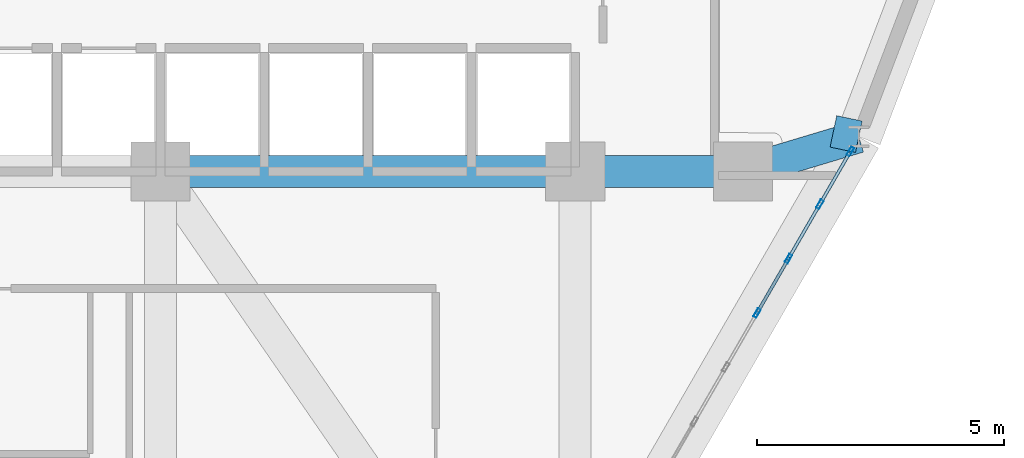
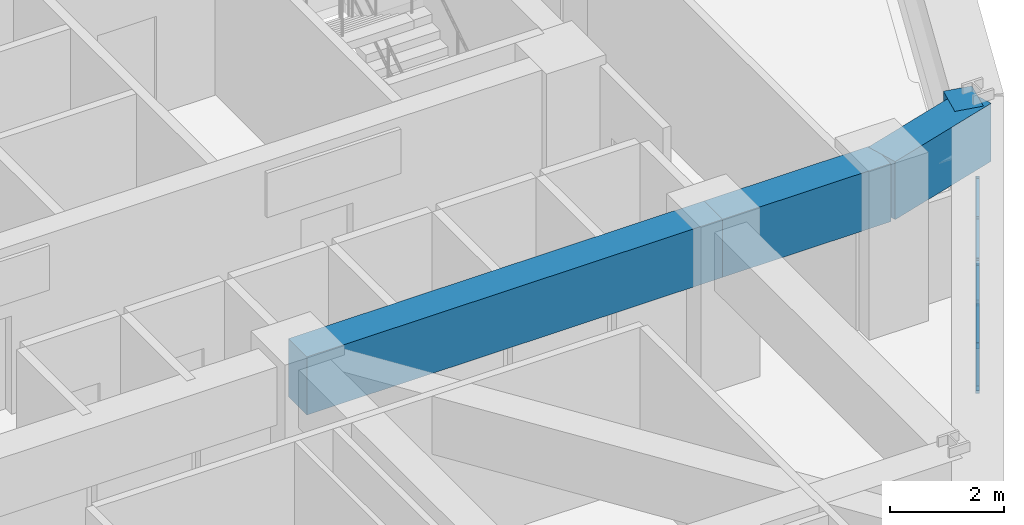
# One storey, part 8 of 16: 11 members, 4 beams, 1 element without a shape of its own.
"""IFC4 building model written with IfcOpenShell, lengths in metres."""

from ifc_helpers import new_model, si_unit, derived_unit, direction, frame, origin, origin_2d, place, context, subcontext, project, spatial, rectangle, hollow_rectangle, extrude, source, transform, mapped, material, layer, layer_set, material_profile, profile_set, type_object, element, aggregate, save


model = new_model("IFC4")

# Units and contexts
model_context = context("Model", 3, precision=1e-05, world=origin(), true_north=direction((0.0, 1.0)))
body_context = subcontext(model_context, "Body", "Model", "MODEL_VIEW")
ifc_project = project(units=[si_unit("LENGTHUNIT", "METRE"), si_unit("AREAUNIT", "SQUARE_METRE"), si_unit("VOLUMEUNIT", "CUBIC_METRE"), si_unit("PLANEANGLEUNIT", "RADIAN"), si_unit("MASSUNIT", "GRAM", prefix="KILO"), derived_unit("THERMALTRANSMITTANCEUNIT", [(si_unit("POWERUNIT", "WATT"), 1), (si_unit("LENGTHUNIT", "METRE"), -2), (si_unit("THERMODYNAMICTEMPERATUREUNIT", "KELVIN"), -1)])], contexts=[model_context])

# Site, building, storey
site_placement = place(None, origin())
site = spatial("IfcSite", under=ifc_project, at=site_placement, CompositionType="ELEMENT")
building_placement = place(site_placement, origin())
building = spatial("IfcBuilding", under=site, at=building_placement, Name="Korsvarv Bourse and Concert Hall", CompositionType="ELEMENT")
storey_placement = place(building_placement, frame((0.0, 0.0, 143.39990234375)))
storey = spatial("IfcBuildingStorey", under=building, at=storey_placement, Name="L36", CompositionType="ELEMENT", Elevation=143.39990234375)

# Beams
ifc_material_1 = material(Name="Concrete C50/60", Category="concrete")
ifc_material_profile_1 = material_profile(ifc_material_1, rectangle(XDim=0.64990234375, YDim=1.239990234375, at=origin_2d()), Name="RC-BM 650x1240")
ifc_profile_set_1 = profile_set([ifc_material_profile_1], Name="Concrete C50/60")
beam_type = type_object("IfcBeamType", Name="BM-TR-SPN", PredefinedType="BEAM", material=ifc_profile_set_1)
shared_shape_1 = source(origin(), body_context, "Body", "SweptSolid", [
    extrude(rectangle(XDim=0.64990234375, YDim=1.239990234375, at=origin_2d()), origin(), (0.0, 0.0, 1.0), 3.400146484375),
])
beam_1_placement = place(storey_placement, frame((44.39990234375, 32.39990234375, 2.780029296875), z_axis=(1.0, 0.0, 0.0), x_axis=(0.0, 1.0, 0.0)))
element("IfcBeam", 1, at=beam_1_placement, inside=storey, type_object=beam_type, Name="L36 beam B-TRS", PredefinedType="BEAM", context=body_context, shape_type="MappedRepresentation", body=[
    mapped(shared_shape_1, transform((0.0, 0.0, 0.0), scale=1.0)),
])
shared_shape_2 = source(origin(), body_context, "Body", "SweptSolid", [
    extrude(rectangle(XDim=0.64990234375, YDim=1.239990234375, at=origin_2d()), origin(), (0.0, 0.0, 1.0), 8.39990234375),
])
beam_2_placement = place(storey_placement, frame((36.0, 32.39990234375, 2.780029296875), z_axis=(1.0, 0.0, 0.0), x_axis=(0.0, 1.0, 0.0)))
element("IfcBeam", 2, at=beam_2_placement, inside=storey, type_object=beam_type, Name="L36 beam B-TRS", PredefinedType="BEAM", context=body_context, shape_type="MappedRepresentation", body=[
    mapped(shared_shape_2, transform((0.0, 0.0, 0.0), scale=1.0)),
])
shared_shape_3 = source(origin(), body_context, "Body", "SweptSolid", [
    extrude(rectangle(XDim=0.64990234375, YDim=1.239990234375, at=origin_2d()), origin(), (0.0, 0.0, 1.0), 2.448974609375),
])
beam_3_placement = place(storey_placement, frame((50.14599609375, 33.1025390625, 2.780029296875), z_axis=(-0.957955150116, -0.286917985434, 0.0), x_axis=(0.286917985434, -0.957955150116, 0.0)))
element("IfcBeam", 3, at=beam_3_placement, inside=storey, type_object=beam_type, Name="L36 beam B-TRS", PredefinedType="BEAM", context=body_context, shape_type="MappedRepresentation", body=[
    mapped(shared_shape_3, transform((0.0, 0.0, 0.0), scale=1.0)),
])
shared_shape_4 = source(origin(), body_context, "Body", "SweptSolid", [
    extrude(rectangle(XDim=0.64990234375, YDim=1.239990234375, at=origin_2d()), origin(), (0.0, 0.0, 1.0), 0.5263671875),
])
beam_4_placement = place(storey_placement, frame((50.14599609375, 33.1025390625, 2.780029296875), z_axis=(-0.978268350579, 0.207342794077, 0.0), x_axis=(-0.207342794077, -0.978268350579, 0.0)))
element("IfcBeam", 4, at=beam_4_placement, inside=storey, type_object=beam_type, Name="L36 beam B-TRS", PredefinedType="BEAM", context=body_context, shape_type="MappedRepresentation", body=[
    mapped(shared_shape_4, transform((0.0, 0.0, 0.0), scale=1.0)),
])

# Curtain wall, members
ifc_material_2 = material(Name="Anodised aluminium and triple low-E glazing", Category="glass")
ifc_layer = layer(ifc_material_2, 0.2099609375)
ifc_layer_set = layer_set([ifc_layer], Name="Anodised aluminium and triple low-E glazing")
curtain_wall_type = type_object("IfcCurtainWallType", Name="CW-SYS-2", PredefinedType="NOTDEFINED", material=ifc_layer_set)
curtain_wall_placement = place(storey_placement, origin())
curtain_wall = element("IfcCurtainWall", 5, at=curtain_wall_placement, inside=storey, type_object=curtain_wall_type, Name="L36 CW2 curtain wall CW-L36-F11", PredefinedType="NOTDEFINED")
ifc_material_3 = material(Name="Extruded aluminium EN AW-6063 T66", Category="aluminium")
ifc_material_profile_2 = material_profile(ifc_material_3, hollow_rectangle(XDim=0.070068359375, YDim=0.18994140625, WallThickness=0.0048828125, at=origin_2d()), Name="ALU-M 70x190")
ifc_profile_set_2 = profile_set([ifc_material_profile_2], Name="Extruded aluminium EN AW-6063 T66")
member_type_1 = type_object("IfcMemberType", Name="CWM-190", PredefinedType="MULLION", material=ifc_profile_set_2)
shared_shape_5 = source(origin(), body_context, "Body", "SweptSolid", [
    extrude(hollow_rectangle(XDim=0.070068359375, YDim=0.18994140625, WallThickness=0.0048828125, at=origin_2d()), origin(), (0.0, 0.0, 1.0), 1.8701171875),
])
member_1_placement = place(storey_placement, frame((48.085205078125, 29.532958984375, 0.0), z_axis=(0.0, 0.0, 1.0), x_axis=(-0.866025213439, 0.500000329688, 0.0)))
member_1 = element("IfcMember", 6, at=member_1_placement, type_object=member_type_1, Name="CW2 mullion 8", PredefinedType="MULLION", context=body_context, shape_type="MappedRepresentation", body=[
    mapped(shared_shape_5, transform((0.0, 0.0, 0.0), scale=1.0)),
])
member_2_placement = place(storey_placement, frame((48.720703125, 30.633544921875, 0.0), z_axis=(0.0, 0.0, 1.0), x_axis=(-0.866025213439, 0.500000329688, 0.0)))
member_2 = element("IfcMember", 7, at=member_2_placement, type_object=member_type_1, Name="CW2 mullion 9", PredefinedType="MULLION", context=body_context, shape_type="MappedRepresentation", body=[
    mapped(shared_shape_5, transform((0.0, 0.0, 0.0), scale=1.0)),
])
member_3_placement = place(storey_placement, frame((49.356201171875, 31.734375, 0.0), z_axis=(0.0, 0.0, 1.0), x_axis=(-0.866025213439, 0.500000329688, 0.0)))
member_3 = element("IfcMember", 8, at=member_3_placement, type_object=member_type_1, Name="CW2 mullion 10", PredefinedType="MULLION", context=body_context, shape_type="MappedRepresentation", body=[
    mapped(shared_shape_5, transform((0.0, 0.0, 0.0), scale=1.0)),
])
member_4_placement = place(storey_placement, frame((49.97412109375, 32.8046875, 0.0), z_axis=(0.0, 0.0, 1.0), x_axis=(-0.866025213439, 0.500000329688, 0.0)))
member_4 = element("IfcMember", 9, at=member_4_placement, type_object=member_type_1, Name="CW2 mullion 11", PredefinedType="MULLION", context=body_context, shape_type="MappedRepresentation", body=[
    mapped(shared_shape_5, transform((0.0, 0.0, 0.0), scale=1.0)),
])
ifc_material_profile_3 = material_profile(ifc_material_3, hollow_rectangle(XDim=0.06494140625, YDim=0.139892578125, WallThickness=0.00390625, at=origin_2d()), Name="ALU-T 65x140")
ifc_profile_set_3 = profile_set([ifc_material_profile_3], Name="Extruded aluminium EN AW-6063 T66")
member_type_2 = type_object("IfcMemberType", Name="CWT-140", PredefinedType="USERDEFINED", material=ifc_profile_set_3)
shared_shape_6 = source(origin(), body_context, "Body", "SweptSolid", [
    extrude(hollow_rectangle(XDim=0.06494140625, YDim=0.139892578125, WallThickness=0.00390625, at=origin_2d()), origin(), (0.0, 0.0, 1.0), 1.166015625),
])
member_5_placement = place(storey_placement, frame((49.373779296875, 31.7646484375, 0.03271484375), z_axis=(0.500012451049, 0.866018215049, 0.0), x_axis=(-0.866018215049, 0.500012451049, 0.0)))
member_5 = element("IfcMember", 10, at=member_5_placement, type_object=member_type_2, Name="CW2 transom 10.1", ObjectType="TRANSOM", PredefinedType="USERDEFINED", context=body_context, shape_type="MappedRepresentation", body=[
    mapped(shared_shape_6, transform((0.0, 0.0, 0.0), scale=1.0)),
])
member_6_placement = place(storey_placement, frame((49.373779296875, 31.7646484375, 1.837646484375), z_axis=(0.500012451049, 0.866018215049, 0.0), x_axis=(-0.866018215049, 0.500012451049, 0.0)))
member_6 = element("IfcMember", 11, at=member_6_placement, type_object=member_type_2, Name="CW2 transom 10.2", ObjectType="TRANSOM", PredefinedType="USERDEFINED", context=body_context, shape_type="MappedRepresentation", body=[
    mapped(shared_shape_6, transform((0.0, 0.0, 0.0), scale=1.0)),
])
shared_shape_7 = source(origin(), body_context, "Body", "SweptSolid", [
    extrude(hollow_rectangle(XDim=0.06494140625, YDim=0.139892578125, WallThickness=0.00390625, at=origin_2d()), origin(), (0.0, 0.0, 1.0), 1.201171875),
])
member_7_placement = place(storey_placement, frame((48.73828125, 30.663818359375, 0.03271484375), z_axis=(0.499833896597, 0.866121282392, 0.0), x_axis=(-0.866121282392, 0.499833896597, 0.0)))
member_7 = element("IfcMember", 12, at=member_7_placement, type_object=member_type_2, Name="CW2 transom 9.1", ObjectType="TRANSOM", PredefinedType="USERDEFINED", context=body_context, shape_type="MappedRepresentation", body=[
    mapped(shared_shape_7, transform((0.0, 0.0, 0.0), scale=1.0)),
])
member_8_placement = place(storey_placement, frame((48.73828125, 30.663818359375, 1.837646484375), z_axis=(0.499833896597, 0.866121282392, 0.0), x_axis=(-0.866121282392, 0.499833896597, 0.0)))
member_8 = element("IfcMember", 13, at=member_8_placement, type_object=member_type_2, Name="CW2 transom 9.2", ObjectType="TRANSOM", PredefinedType="USERDEFINED", context=body_context, shape_type="MappedRepresentation", body=[
    mapped(shared_shape_7, transform((0.0, 0.0, 0.0), scale=1.0)),
])
ifc_material_profile_4 = material_profile(ifc_material_3, hollow_rectangle(XDim=0.06494140625, YDim=0.1650390625, WallThickness=0.0048828125, at=origin_2d()), Name="ALU-M 65x165")
ifc_profile_set_4 = profile_set([ifc_material_profile_4], Name="Extruded aluminium EN AW-6063 T66")
member_type_3 = type_object("IfcMemberType", Name="CWM-165", PredefinedType="MULLION", material=ifc_profile_set_4)
shared_shape_8 = source(origin(), body_context, "Body", "SweptSolid", [
    extrude(hollow_rectangle(XDim=0.06494140625, YDim=0.1650390625, WallThickness=0.0048828125, at=origin_2d()), origin(), (0.0, 0.0, 1.0), 2.1142578125),
])
member_9_placement = place(storey_placement, frame((48.102783203125, 29.563232421875, 0.065185546875), z_axis=(0.283962804095, 0.491940441416, 0.823018668069), x_axis=(-0.866070485951, 0.499921907266, 0.0)))
member_9 = element("IfcMember", 14, at=member_9_placement, type_object=member_type_3, Name="CW2 diagonal mullion 8", PredefinedType="MULLION", context=body_context, shape_type="MappedRepresentation", body=[
    mapped(shared_shape_8, transform((0.0, 0.0, 0.0), scale=1.0)),
])
shared_shape_9 = source(origin(), body_context, "Body", "SweptSolid", [
    extrude(hollow_rectangle(XDim=0.06494140625, YDim=0.139892578125, WallThickness=0.00390625, at=origin_2d()), origin(), (0.0, 0.0, 1.0), 1.200927734375),
])
member_10_placement = place(storey_placement, frame((48.102783203125, 29.563232421875, 0.03271484375), z_axis=(0.499921907266, 0.866070485951, 0.0), x_axis=(-0.866070485951, 0.499921907266, 0.0)))
member_10 = element("IfcMember", 15, at=member_10_placement, type_object=member_type_2, Name="CW2 transom 8.1", ObjectType="TRANSOM", PredefinedType="USERDEFINED", context=body_context, shape_type="MappedRepresentation", body=[
    mapped(shared_shape_9, transform((0.0, 0.0, 0.0), scale=1.0)),
])
member_11_placement = place(storey_placement, frame((48.102783203125, 29.563232421875, 1.837646484375), z_axis=(0.499921907266, 0.866070485951, 0.0), x_axis=(-0.866070485951, 0.499921907266, 0.0)))
member_11 = element("IfcMember", 16, at=member_11_placement, type_object=member_type_2, Name="CW2 transom 8.2", ObjectType="TRANSOM", PredefinedType="USERDEFINED", context=body_context, shape_type="MappedRepresentation", body=[
    mapped(shared_shape_9, transform((0.0, 0.0, 0.0), scale=1.0)),
])
aggregate(curtain_wall, [member_1, member_2, member_3, member_4, member_10, member_11, member_9, member_7, member_8, member_5, member_6])

save(model, "model.ifc")
